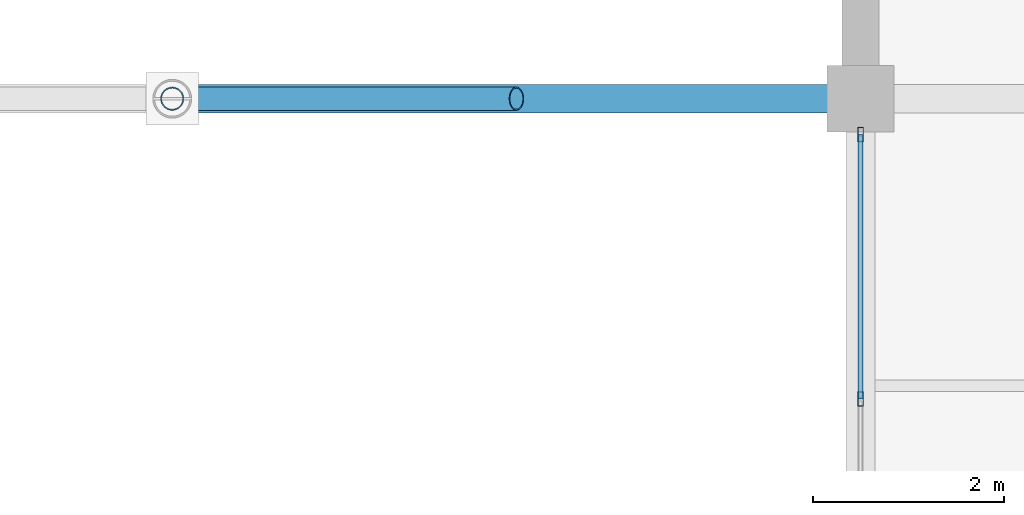
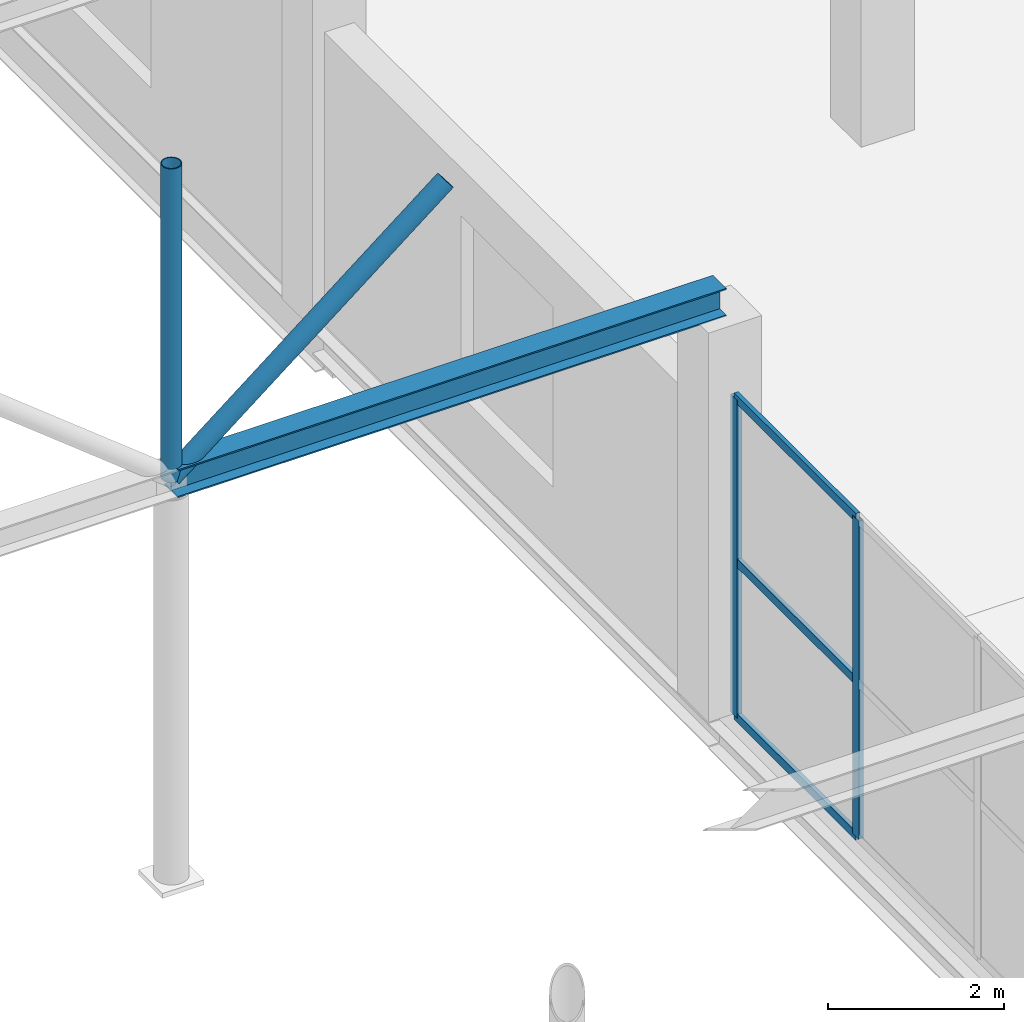
# One storey, part 59 of 147: 7 members, 1 beam, 1 element without a shape of its own.
"""IFC4 building model written with IfcOpenShell, lengths in metres."""

import ifcopenshell
import ifcopenshell.guid

model = None  # the IFC model being written
_history = None  # IfcOwnerHistory: only IFC2X3 demands one
_inside = {}  # id of a spatial element -> (the spatial element, [elements in it])
_under = {}  # id of a project, library or spatial element -> (it, [spatial elements below it])
_declared = {}  # id of a project -> (the project, [libraries it declares])
_typed = {}  # id of a type object -> (the type object, [elements of that type])
_made_of = {}  # id of a material, layer set ... -> (it, [elements and type objects made of it])


def new_model(schema):
    """Start an empty IFC model of exactly this schema.

    Asked for "IFC4X3", IfcOpenShell would pick the latest addendum, in which some entities
    have other attributes; the version numbers below select the first issue.
    IFC2X3 requires an IfcOwnerHistory on every rooted entity: one is made here for all.
    """
    global model, _history
    if schema == "IFC4X3":
        model = ifcopenshell.file(schema_version=(4, 3, 0, 0))
    else:
        model = ifcopenshell.file(schema=schema)
    _inside.clear()
    _under.clear()
    _declared.clear()
    _typed.clear()
    _made_of.clear()
    _history = None
    if model.schema == "IFC2X3":
        org = make("IfcOrganization", Name="unknown")
        user = make(
            "IfcPersonAndOrganization",
            ThePerson=make("IfcPerson", FamilyName="unknown"),
            TheOrganization=org,
        )
        app = make(
            "IfcApplication",
            ApplicationDeveloper=org,
            Version="unknown",
            ApplicationFullName="unknown",
            ApplicationIdentifier="unknown",
        )
        _history = make(
            "IfcOwnerHistory",
            OwningUser=user,
            OwningApplication=app,
            ChangeAction="ADDED",
            CreationDate=0,
        )
    return model


def make(cls, **values):
    """One entity of the class cls with the attributes given. An attribute that is None is left unset."""
    return model.create_entity(
        cls, **{name: value for name, value in values.items() if value is not None}
    )


def rooted(cls, **values):
    """An entity with a GlobalId (a new one), such as an element, a storey or a relation."""
    return make(cls, GlobalId=ifcopenshell.guid.new(), OwnerHistory=_history, **values)


def si_unit(unit_type, name, prefix=None):
    """IfcSIUnit, for example si_unit("LENGTHUNIT", "METRE", prefix="MILLI")."""
    return make("IfcSIUnit", UnitType=unit_type, Prefix=prefix, Name=name)


def assignment(units):
    """IfcUnitAssignment: the units of a project."""
    return None if units is None else make("IfcUnitAssignment", Units=units)


def point(xyz):
    """IfcCartesianPoint."""
    return None if xyz is None else make("IfcCartesianPoint", Coordinates=xyz)


def direction(xyz):
    """IfcDirection."""
    return None if xyz is None else make("IfcDirection", DirectionRatios=xyz)


def frame(location, z_axis=None, x_axis=None):
    """IfcAxis2Placement3D, a coordinate frame: its origin and axes. An axis left out is left unset."""
    return make(
        "IfcAxis2Placement3D",
        Location=point(location),
        Axis=direction(z_axis),
        RefDirection=direction(x_axis),
    )


def frame_2d(location, x_axis=None):
    """IfcAxis2Placement2D, a coordinate frame in the plane: its origin and x axis."""
    return make(
        "IfcAxis2Placement2D", Location=point(location), RefDirection=direction(x_axis)
    )


def origin():
    """The frame at (0, 0, 0) with its axes left unset."""
    return frame((0.0, 0.0, 0.0))


def origin_2d():
    """The frame at (0, 0) in the plane with its x axis left unset."""
    return frame_2d((0.0, 0.0))


def place(relative_to, where):
    """IfcLocalPlacement: puts the frame where relative to a parent placement (None: the world)."""
    return make(
        "IfcLocalPlacement", PlacementRelTo=relative_to, RelativePlacement=where
    )


def context(
    kind, dimensions, precision=None, world=None, true_north=None, identifier=None
):
    """IfcGeometricRepresentationContext, for example the 3D "Model" context."""
    return make(
        "IfcGeometricRepresentationContext",
        ContextIdentifier=identifier,
        ContextType=kind,
        CoordinateSpaceDimension=dimensions,
        Precision=precision,
        WorldCoordinateSystem=world,
        TrueNorth=true_north,
    )


def subcontext(parent, identifier, kind, view, scale=None):
    """IfcGeometricRepresentationSubContext, for example "Body" below "Model"."""
    return make(
        "IfcGeometricRepresentationSubContext",
        ContextIdentifier=identifier,
        ContextType=kind,
        ParentContext=parent,
        TargetScale=scale,
        TargetView=view,
    )


def project(units=None, contexts=None):
    """IfcProject with its units and contexts."""
    return rooted(
        "IfcProject",
        Name="project",
        RepresentationContexts=contexts,
        UnitsInContext=assignment(units),
    )


def spatial(cls, under=None, at=None, **own):
    """A site, building, storey or space (cls), placed at a placement, below another one or the project."""
    s = rooted(cls, ObjectPlacement=at, **own)
    if under is not None:
        _under.setdefault(under.id(), (under, []))[1].append(s)
    return s


def profile(cls, at=None, kind="AREA", **sizes):
    """A parametric profile (cls). Its sizes go by their IFC names, for example OverallWidth=200.0."""
    return make(cls, ProfileType=kind, Position=at, **sizes)


def hollow_rectangle(**sizes):
    """IfcRectangleHollowProfileDef."""
    return profile("IfcRectangleHollowProfileDef", **sizes)


def hollow_circle(**sizes):
    """IfcCircleHollowProfileDef."""
    return profile("IfcCircleHollowProfileDef", **sizes)


def i_section(**sizes):
    """IfcIShapeProfileDef."""
    return profile("IfcIShapeProfileDef", **sizes)


def extrude(swept, where, along, depth):
    """IfcExtrudedAreaSolid: the profile swept, set in the frame where, extruded along a direction by depth."""
    return make(
        "IfcExtrudedAreaSolid",
        SweptArea=swept,
        Position=where,
        ExtrudedDirection=direction(along),
        Depth=depth,
    )


def shape(context_of_items, identifier, shape_type, items):
    """IfcShapeRepresentation: the items that make up one representation, for example the "Body"."""
    return make(
        "IfcShapeRepresentation",
        ContextOfItems=context_of_items,
        RepresentationIdentifier=identifier,
        RepresentationType=shape_type,
        Items=items,
    )


def material(Name=None, Category=None):
    """IfcMaterial."""
    return make("IfcMaterial", Name=Name, Category=Category)


def layer(
    of_material, thickness, ventilated=None, Name=None, Category=None, Priority=None
):
    """IfcMaterialLayer: one layer of a wall or slab, of a material (None: an air gap)."""
    return make(
        "IfcMaterialLayer",
        Material=of_material,
        LayerThickness=thickness,
        IsVentilated=ventilated,
        Name=Name,
        Category=Category,
        Priority=Priority,
    )


def layer_set(layers, Name=None):
    """IfcMaterialLayerSet."""
    return make("IfcMaterialLayerSet", MaterialLayers=layers, LayerSetName=Name)


def material_profile(
    of_material, cross_section, Name=None, Category=None, Priority=None
):
    """IfcMaterialProfile: a cross section and its material."""
    return make(
        "IfcMaterialProfile",
        Name=Name,
        Material=of_material,
        Profile=cross_section,
        Priority=Priority,
        Category=Category,
    )


def profile_set(profiles, Name=None, composite=None):
    """IfcMaterialProfileSet."""
    return make(
        "IfcMaterialProfileSet",
        Name=Name,
        MaterialProfiles=profiles,
        CompositeProfile=composite,
    )


def made_of(thing, what):
    """Note that an element or type object is made of a material, layer set ...; save() writes the relation."""
    if what is not None:
        _made_of.setdefault(what.id(), (what, []))[1].append(thing)
    return thing


def type_object(cls, material=None, **own):
    """A type object (cls), such as IfcWallType, which elements share."""
    return made_of(rooted(cls, **own), material)


def element(
    cls,
    number,
    at=None,
    inside=None,
    cuts=None,
    type_object=None,
    material=None,
    context=None,
    identifier="Body",
    shape_type=None,
    held_by="IfcProductDefinitionShape",
    body=None,
    shapes=None,
    **own,
):
    """One element of the class cls, such as IfcWall. Its Tag is "e" and its number.

    at: its placement. inside: the storey or other place that contains it. cuts: it is an
    opening in that element (IfcRelVoidsElement). A single representation is given by context,
    identifier, shape_type and body (its items); several are given by shapes. held_by: the class
    of the entity that holds the representations. save() writes the other relations.
    """
    e = rooted(cls, Tag="e%d" % number, ObjectPlacement=at, **own)
    if body is not None:
        shapes = [shape(context, identifier, shape_type, body)]
    if shapes is not None:
        e.Representation = make(held_by, Representations=shapes)
    if inside is not None:
        _inside.setdefault(inside.id(), (inside, []))[1].append(e)
    if cuts is not None:
        rooted(
            "IfcRelVoidsElement", RelatingBuildingElement=cuts, RelatedOpeningElement=e
        )
    if type_object is not None:
        _typed.setdefault(type_object.id(), (type_object, []))[1].append(e)
    return made_of(e, material)


def aggregate(whole, parts):
    """IfcRelAggregates: a whole, such as a stair, and the parts it consists of."""
    return rooted("IfcRelAggregates", RelatingObject=whole, RelatedObjects=parts)


def save(model, path):
    """Write the relations noted so far, then the file.

    IfcRelAggregates (storeys below a building ...), IfcRelContainedInSpatialStructure (elements
    in a storey), IfcRelDefinesByType, IfcRelAssociatesMaterial and IfcRelDeclares: one each for
    every whole, place, type object, material and project.
    """
    for whole, parts in _under.values():
        aggregate(whole, parts)
    for where, things in _inside.values():
        rooted(
            "IfcRelContainedInSpatialStructure",
            RelatedElements=things,
            RelatingStructure=where,
        )
    for kind, things in _typed.values():
        rooted("IfcRelDefinesByType", RelatedObjects=things, RelatingType=kind)
    for what, things in _made_of.values():
        rooted("IfcRelAssociatesMaterial", RelatedObjects=things, RelatingMaterial=what)
    for by, libraries in _declared.values():
        rooted("IfcRelDeclares", RelatingContext=by, RelatedDefinitions=libraries)
    model.write(path)


model = new_model("IFC4")

# Units and contexts
model_context = context("Model", 3, precision=1e-05, world=origin(), true_north=direction((0.0, 1.0)))
body_context = subcontext(model_context, "Body", "Model", "MODEL_VIEW")
ifc_project = project(units=[si_unit("LENGTHUNIT", "METRE"), si_unit("AREAUNIT", "SQUARE_METRE"), si_unit("VOLUMEUNIT", "CUBIC_METRE"), si_unit("PLANEANGLEUNIT", "RADIAN"), si_unit("MASSUNIT", "GRAM", prefix="KILO")], contexts=[model_context])

# Site, building, storey
site_placement = place(None, origin())
site = spatial("IfcSite", under=ifc_project, at=site_placement, CompositionType="ELEMENT")
building_placement = place(site_placement, origin())
building = spatial("IfcBuilding", under=site, at=building_placement, Name="Sundgate Opera House", CompositionType="ELEMENT")
storey_placement = place(building_placement, frame((0.0, 0.0, 6.0)))
storey = spatial("IfcBuildingStorey", under=building, at=storey_placement, Name="L01", CompositionType="ELEMENT", Elevation=6.0)

# Beam
ifc_material_1 = material(Name="Steel S355J2", Category="steel")
ifc_material_profile_1 = material_profile(ifc_material_1, i_section(OverallWidth=0.300048828125, OverallDepth=0.389892578125, WebThickness=0.010986328125, FlangeThickness=0.01904296875, at=origin_2d()), Name="HEA 400")
ifc_profile_set_1 = profile_set([ifc_material_profile_1], Name="Steel S355J2")
beam_type = type_object("IfcBeamType", Name="BM-GR-HEA400", PredefinedType="BEAM", material=ifc_profile_set_1)
beam_placement = place(storey_placement, frame((88.199951171875, 69.0, 5.5849609375), z_axis=(1.0, 0.0, 0.0), x_axis=(0.0, 1.0, 0.0)))
element("IfcBeam", 1, at=beam_placement, inside=storey, type_object=beam_type, Name="L01 Passage Arch Tie Beam B3408", PredefinedType="BEAM", context=body_context, shape_type="SweptSolid", body=[
    extrude(i_section(OverallWidth=0.300048828125, OverallDepth=0.389892578125, WebThickness=0.010986328125, FlangeThickness=0.01904296875, at=origin_2d()), origin(), (0.0, 0.0, 1.0), 7.199951171875),
])

# Curtain wall, members
ifc_material_2 = material(Name="Anodized aluminium and low-iron glass", Category="aluminium")
ifc_layer = layer(ifc_material_2, 0.159912109375)
ifc_layer_set = layer_set([ifc_layer], Name="Anodized aluminium and low-iron glass")
curtain_wall_type = type_object("IfcCurtainWallType", Name="CW-STUDIO-DARK", PredefinedType="NOTDEFINED", material=ifc_layer_set)
curtain_wall_placement = place(storey_placement, origin())
curtain_wall = element("IfcCurtainWall", 2, at=curtain_wall_placement, inside=storey, type_object=curtain_wall_type, Name="L01 Curtain Wall CW050", PredefinedType="NOTDEFINED")
ifc_material_3 = material(Name="Anodized aluminium EN AW-6063", Category="aluminium")
ifc_material_profile_2 = material_profile(ifc_material_3, hollow_rectangle(XDim=0.06005859375, YDim=0.14990234375, WallThickness=0.00390625, at=origin_2d()), Name="CWM 150x60x4")
ifc_profile_set_2 = profile_set([ifc_material_profile_2], Name="Anodized aluminium EN AW-6063")
member_type_1 = type_object("IfcMemberType", Name="CWM-ALU-150x60", PredefinedType="MULLION", material=ifc_profile_set_2)
member_1_placement = place(storey_placement, frame((95.39990234375, 68.625, 0.0), z_axis=(0.0, 0.0, 1.0), x_axis=(1.0, 0.0, 0.0)))
member_1 = element("IfcMember", 3, at=member_1_placement, type_object=member_type_1, Name="CW050 Mullion 1", PredefinedType="MULLION", context=body_context, shape_type="SweptSolid", body=[
    extrude(hollow_rectangle(XDim=0.06005859375, YDim=0.14990234375, WallThickness=0.00390625, at=origin_2d()), origin(), (0.0, 0.0, 1.0), 4.4150390625),
])
member_2_placement = place(storey_placement, frame((95.39990234375, 65.8583984375, 0.0), z_axis=(0.0, 0.0, 1.0), x_axis=(1.0, 0.0, 0.0)))
member_2 = element("IfcMember", 4, at=member_2_placement, type_object=member_type_1, Name="CW050 Mullion 2", PredefinedType="MULLION", context=body_context, shape_type="SweptSolid", body=[
    extrude(hollow_rectangle(XDim=0.06005859375, YDim=0.14990234375, WallThickness=0.00390625, at=origin_2d()), origin(), (0.0, 0.0, 1.0), 4.4150390625),
])
ifc_material_4 = material(Name="Anodized aluminium EN AW-6063", Category="aluminium")
ifc_material_profile_3 = material_profile(ifc_material_4, hollow_rectangle(XDim=0.054931640625, YDim=0.1201171875, WallThickness=0.00390625, at=origin_2d()), Name="CWT 120x55x4")
ifc_profile_set_3 = profile_set([ifc_material_profile_3], Name="Anodized aluminium EN AW-6063")
member_type_2 = type_object("IfcMemberType", Name="CWT-ALU-120x55", PredefinedType="USERDEFINED", material=ifc_profile_set_3)
member_3_placement = place(storey_placement, frame((95.39990234375, 68.625, 0.0), z_axis=(0.0, -1.0, 0.0), x_axis=(1.0, 0.0, 0.0)))
member_3 = element("IfcMember", 5, at=member_3_placement, type_object=member_type_2, Name="CW050 Transom 1", ObjectType="TRANSOM", PredefinedType="USERDEFINED", context=body_context, shape_type="SweptSolid", body=[
    extrude(hollow_rectangle(XDim=0.054931640625, YDim=0.1201171875, WallThickness=0.00390625, at=origin_2d()), origin(), (0.0, 0.0, 1.0), 2.7666015625),
])
member_4_placement = place(storey_placement, frame((95.39990234375, 68.625, 2.14990234375), z_axis=(0.0, -1.0, 0.0), x_axis=(1.0, 0.0, 0.0)))
member_4 = element("IfcMember", 6, at=member_4_placement, type_object=member_type_2, Name="CW050 Transom 2", ObjectType="TRANSOM", PredefinedType="USERDEFINED", context=body_context, shape_type="SweptSolid", body=[
    extrude(hollow_rectangle(XDim=0.054931640625, YDim=0.1201171875, WallThickness=0.00390625, at=origin_2d()), origin(), (0.0, 0.0, 1.0), 2.7666015625),
])
member_5_placement = place(storey_placement, frame((95.39990234375, 68.625, 4.4150390625), z_axis=(0.0, -1.0, 0.0), x_axis=(1.0, 0.0, 0.0)))
member_5 = element("IfcMember", 7, at=member_5_placement, type_object=member_type_2, Name="CW050 Transom 3", ObjectType="TRANSOM", PredefinedType="USERDEFINED", context=body_context, shape_type="SweptSolid", body=[
    extrude(hollow_rectangle(XDim=0.054931640625, YDim=0.1201171875, WallThickness=0.00390625, at=origin_2d()), origin(), (0.0, 0.0, 1.0), 2.7666015625),
])
aggregate(curtain_wall, [member_1, member_2, member_3, member_4, member_5])

# Members
ifc_material_5 = material(Name="Steel S355J2", Category="steel")
ifc_material_profile_4 = material_profile(ifc_material_5, hollow_circle(Radius=0.122314453125, WallThickness=0.012451171875, at=origin_2d()), Name="CHS 244.5x12.5")
ifc_profile_set_4 = profile_set([ifc_material_profile_4], Name="Steel S355J2")
member_type_3 = type_object("IfcMemberType", Name="MB-STRUT-CHS244", PredefinedType="STRUT", material=ifc_profile_set_4)
member_6_placement = place(storey_placement, frame((88.199951171875, 69.0, 5.594970703125), z_axis=(0.783526223691, 0.0, 0.621358718285), x_axis=(0.0, 1.0, 0.0)))
element("IfcMember", 8, at=member_6_placement, inside=storey, type_object=member_type_3, Name="Passage Arch Spandrel Strut M0333", PredefinedType="STRUT", context=body_context, shape_type="SweptSolid", body=[
    extrude(hollow_circle(Radius=0.122314453125, WallThickness=0.012451171875, at=origin_2d()), origin(), (0.0, 0.0, 1.0), 4.5947265625),
])
member_7_placement = place(storey_placement, frame((88.199951171875, 69.0, 5.594970703125), z_axis=(0.0, 0.0, 1.0), x_axis=(1.0, 0.0, 0.0)))
element("IfcMember", 9, at=member_7_placement, inside=storey, type_object=member_type_3, Name="Passage Arch Crown Post M0334", PredefinedType="STRUT", context=body_context, shape_type="SweptSolid", body=[
    extrude(hollow_circle(Radius=0.122314453125, WallThickness=0.012451171875, at=origin_2d()), origin(), (0.0, 0.0, 1.0), 4.35498046875),
])

save(model, "model.ifc")
